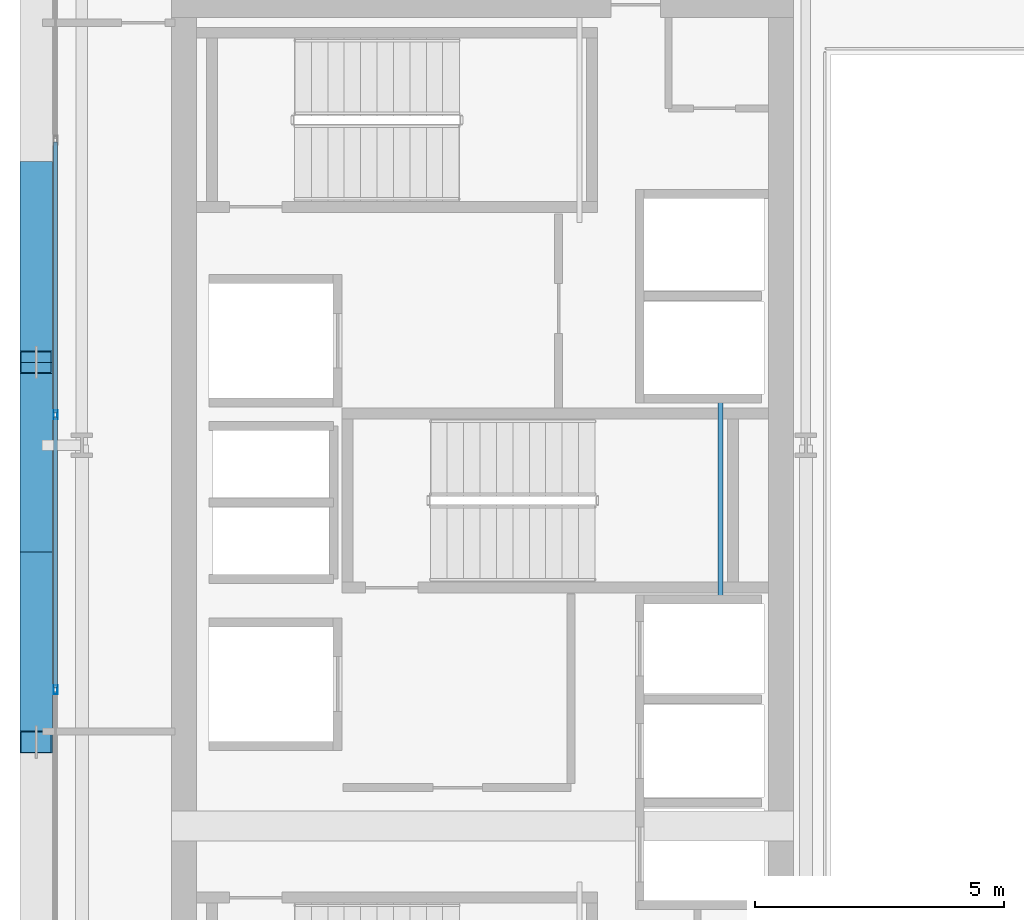
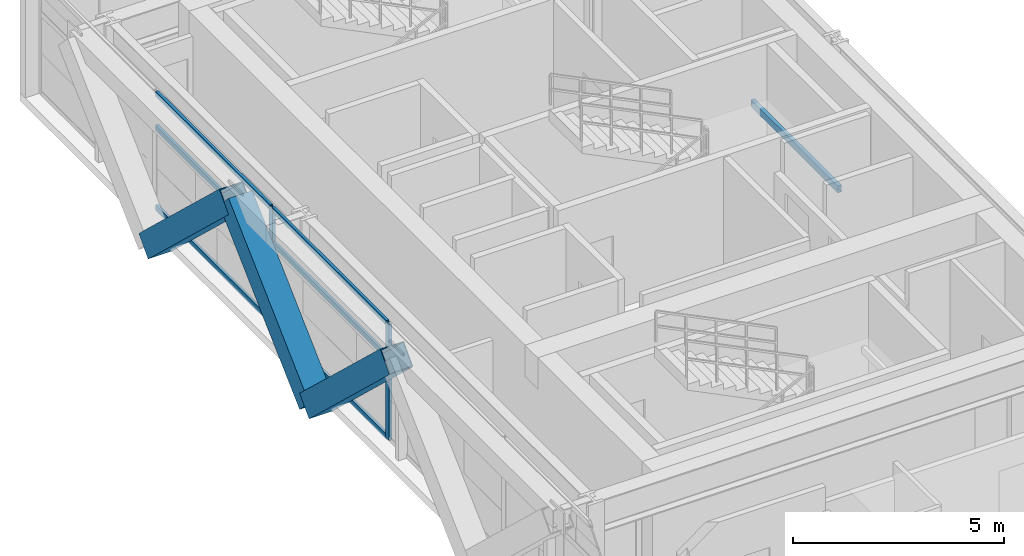
# One storey, part 7 of 32: 11 members, 1 beam, 1 element without a shape of its own.
"""IFC4 building model written with IfcOpenShell, lengths in metres."""

from ifc_helpers import new_model, si_unit, direction, frame, origin, origin_2d, place, context, subcontext, project, spatial, hollow_rectangle, extrude, source, transform, mapped, material, layer, layer_set, material_profile, profile_set, type_object, element, aggregate, save


model = new_model("IFC4")

# Units and contexts
model_context = context("Model", 3, precision=1e-05, world=origin(), true_north=direction((0.0, 1.0)))
body_context = subcontext(model_context, "Body", "Model", "MODEL_VIEW")
ifc_project = project(units=[si_unit("LENGTHUNIT", "METRE"), si_unit("AREAUNIT", "SQUARE_METRE"), si_unit("VOLUMEUNIT", "CUBIC_METRE"), si_unit("PLANEANGLEUNIT", "RADIAN"), si_unit("MASSUNIT", "GRAM", prefix="KILO")], contexts=[model_context])

# Site, building, storey
site_placement = place(None, origin())
site = spatial("IfcSite", under=ifc_project, at=site_placement, CompositionType="ELEMENT")
building_placement = place(site_placement, origin())
building = spatial("IfcBuilding", under=site, at=building_placement, Name="Ocotamira Hotel", CompositionType="ELEMENT")
storey_placement = place(building_placement, frame((0.0, 0.0, 213.60009765625)))
storey = spatial("IfcBuildingStorey", under=building, at=storey_placement, Name="L54", CompositionType="ELEMENT", Elevation=213.60009765625)

# Beam
ifc_material_1 = material(Name="Steel ASTM A500 Grade C", Category="steel")
ifc_material_profile_1 = material_profile(ifc_material_1, hollow_rectangle(XDim=0.10009765625, YDim=0.199951171875, WallThickness=0.008056640625, at=origin_2d()), Name="HSS200X100X8")
ifc_profile_set_1 = profile_set([ifc_material_profile_1], Name="Steel ASTM A500 Grade C")
beam_type = type_object("IfcBeamType", Name="BM-STLDG-HSS200", PredefinedType="BEAM", material=ifc_profile_set_1)
shared_shape_1 = source(origin(), body_context, "Body", "SweptSolid", [
    extrude(hollow_rectangle(XDim=0.10009765625, YDim=0.199951171875, WallThickness=0.008056640625, at=origin_2d()), origin(), (0.0, 0.0, 1.0), 4.1201171875),
])
beam_placement = place(storey_placement, frame((21.780029296875, 24.97998046875, 1.5), z_axis=(0.0, 1.0, 0.0), x_axis=(-1.0, 0.0, 0.0)))
element("IfcBeam", 1, at=beam_placement, inside=storey, type_object=beam_type, Name="L54 Stair ST-3 Landing Bearer 1", PredefinedType="BEAM", context=body_context, shape_type="MappedRepresentation", body=[
    mapped(shared_shape_1, transform((0.0, 0.0, 0.0), scale=1.0)),
])

# Members
ifc_material_2 = material(Name="Pale-metal coated steel ASTM A913 Grade 65", Category="steel")
ifc_material_profile_2 = material_profile(ifc_material_2, hollow_rectangle(XDim=0.64990234375, YDim=0.64990234375, WallThickness=0.02197265625, at=origin_2d()), Name="BOX650X650X22")
ifc_profile_set_2 = profile_set([ifc_material_profile_2], Name="Pale-metal coated steel ASTM A913 Grade 65")
member_type_1 = type_object("IfcMemberType", Name="MEM-EXO-BOX650", PredefinedType="BRACE", material=ifc_profile_set_2)
shared_shape_2 = source(origin(), body_context, "Body", "SweptSolid", [
    extrude(hollow_rectangle(XDim=0.64990234375, YDim=0.64990234375, WallThickness=0.02197265625, at=origin_2d()), origin(), (0.0, 0.0, 1.0), 5.24658203125),
])
for number, where, z_axis, x_axis, name in (
    (2, (8.030029296875, 26.0, -0.47998046875), (0.0, -0.72746596067, 0.686143772154), (1.0, 0.0, 0.0), "L54 Exoskeleton Diagrid W1.1"),
    (3, (8.030029296875, 26.0, -0.47998046875), (0.0, 0.72746596067, 0.686143772154), (-1.0, 0.0, 0.0), "L54 Exoskeleton Diagrid W1.2"),
    (4, (8.030029296875, 33.63330078125, -0.47998046875), (0.0, -0.72746596067, 0.686143772154), (1.0, 0.0, 0.0), "L54 Exoskeleton Diagrid W2.1"),
):
    element("IfcMember", number, at=place(storey_placement, frame(where, z_axis=z_axis, x_axis=x_axis)), inside=storey, type_object=member_type_1, Name=name, PredefinedType="BRACE", context=body_context, shape_type="MappedRepresentation", body=[
        mapped(shared_shape_2, transform((0.0, 0.0, 0.0), scale=1.0)),
    ])

# Curtain wall, members
ifc_material_3 = material(Name="Anodised pale-metal aluminium and solar glass", Category="aluminium")
ifc_layer = layer(ifc_material_3, 0.199951171875)
ifc_layer_set = layer_set([ifc_layer], Name="Anodised pale-metal aluminium and solar glass")
curtain_wall_type = type_object("IfcCurtainWallType", Name="CW-SYS4-Z3", PredefinedType="NOTDEFINED", material=ifc_layer_set)
curtain_wall_placement = place(storey_placement, origin())
curtain_wall = element("IfcCurtainWall", 5, at=curtain_wall_placement, inside=storey, type_object=curtain_wall_type, Name="L54 Curtain Wall CW-4 CW-L54-W", PredefinedType="NOTDEFINED")
ifc_material_4 = material(Name="Anodised pale-metal aluminium 6063-T6", Category="aluminium")
ifc_material_profile_3 = material_profile(ifc_material_4, hollow_rectangle(XDim=0.074951171875, YDim=0.14990234375, WallThickness=0.006103515625, at=origin_2d()), Name="HSS150X75X6")
ifc_profile_set_3 = profile_set([ifc_material_profile_3], Name="Anodised pale-metal aluminium 6063-T6")
member_type_2 = type_object("IfcMemberType", Name="CWT-150X75", PredefinedType="USERDEFINED", material=ifc_profile_set_3)
shared_shape_3 = source(origin(), body_context, "Body", "SweptSolid", [
    extrude(hollow_rectangle(XDim=0.074951171875, YDim=0.14990234375, WallThickness=0.006103515625, at=origin_2d()), origin(), (0.0, 0.0, 1.0), 5.43994140625),
])
member_1_placement = place(storey_placement, frame((8.419921875, 23.280029296875, 0.037353515625), z_axis=(0.0, 1.0, 0.0), x_axis=(-1.0, 0.0, 0.0)))
member_1 = element("IfcMember", 6, at=member_1_placement, type_object=member_type_2, Name="CW-4 transom 3.1", ObjectType="TRANSOM", PredefinedType="USERDEFINED", context=body_context, shape_type="MappedRepresentation", body=[
    mapped(shared_shape_3, transform((0.0, 0.0, 0.0), scale=1.0)),
])
member_2_placement = place(storey_placement, frame((8.419921875, 23.280029296875, 2.349853515625), z_axis=(0.0, 1.0, 0.0), x_axis=(-1.0, 0.0, 0.0)))
member_2 = element("IfcMember", 7, at=member_2_placement, type_object=member_type_2, Name="CW-4 transom 3.2", ObjectType="TRANSOM", PredefinedType="USERDEFINED", context=body_context, shape_type="MappedRepresentation", body=[
    mapped(shared_shape_3, transform((0.0, 0.0, 0.0), scale=1.0)),
])
member_3_placement = place(storey_placement, frame((8.419921875, 23.280029296875, 3.33251953125), z_axis=(0.0, 1.0, 0.0), x_axis=(-1.0, 0.0, 0.0)))
member_3 = element("IfcMember", 8, at=member_3_placement, type_object=member_type_2, Name="CW-4 transom 3.3", ObjectType="TRANSOM", PredefinedType="USERDEFINED", context=body_context, shape_type="MappedRepresentation", body=[
    mapped(shared_shape_3, transform((0.0, 0.0, 0.0), scale=1.0)),
])
member_4_placement = place(storey_placement, frame((8.419921875, 28.800048828125, 0.037353515625), z_axis=(0.0, 1.0, 0.0), x_axis=(-1.0, 0.0, 0.0)))
member_4 = element("IfcMember", 9, at=member_4_placement, type_object=member_type_2, Name="CW-4 transom 4.1", ObjectType="TRANSOM", PredefinedType="USERDEFINED", context=body_context, shape_type="MappedRepresentation", body=[
    mapped(shared_shape_3, transform((0.0, 0.0, 0.0), scale=1.0)),
])
member_5_placement = place(storey_placement, frame((8.419921875, 28.800048828125, 2.349853515625), z_axis=(0.0, 1.0, 0.0), x_axis=(-1.0, 0.0, 0.0)))
member_5 = element("IfcMember", 10, at=member_5_placement, type_object=member_type_2, Name="CW-4 transom 4.2", ObjectType="TRANSOM", PredefinedType="USERDEFINED", context=body_context, shape_type="MappedRepresentation", body=[
    mapped(shared_shape_3, transform((0.0, 0.0, 0.0), scale=1.0)),
])
member_6_placement = place(storey_placement, frame((8.419921875, 28.800048828125, 3.33251953125), z_axis=(0.0, 1.0, 0.0), x_axis=(-1.0, 0.0, 0.0)))
member_6 = element("IfcMember", 11, at=member_6_placement, type_object=member_type_2, Name="CW-4 transom 4.3", ObjectType="TRANSOM", PredefinedType="USERDEFINED", context=body_context, shape_type="MappedRepresentation", body=[
    mapped(shared_shape_3, transform((0.0, 0.0, 0.0), scale=1.0)),
])
ifc_material_profile_4 = material_profile(ifc_material_4, hollow_rectangle(XDim=0.080078125, YDim=0.179931640625, WallThickness=0.006103515625, at=origin_2d()), Name="HSS180X80X6")
ifc_profile_set_4 = profile_set([ifc_material_profile_4], Name="Anodised pale-metal aluminium 6063-T6")
member_type_3 = type_object("IfcMemberType", Name="CWM-180X75", PredefinedType="MULLION", material=ifc_profile_set_4)
shared_shape_4 = source(origin(), body_context, "Body", "SweptSolid", [
    extrude(hollow_rectangle(XDim=0.080078125, YDim=0.179931640625, WallThickness=0.006103515625, at=origin_2d()), origin(), (0.0, 0.0, 1.0), 3.369873046875),
])
member_7_placement = place(storey_placement, frame((8.419921875, 23.239990234375, 0.0), z_axis=(0.0, 0.0, 1.0), x_axis=(-1.0, 0.0, 0.0)))
member_7 = element("IfcMember", 12, at=member_7_placement, type_object=member_type_3, Name="CW-4 mullion 3", PredefinedType="MULLION", context=body_context, shape_type="MappedRepresentation", body=[
    mapped(shared_shape_4, transform((0.0, 0.0, 0.0), scale=1.0)),
])
member_8_placement = place(storey_placement, frame((8.419921875, 28.760009765625, 0.0), z_axis=(0.0, 0.0, 1.0), x_axis=(-1.0, 0.0, 0.0)))
member_8 = element("IfcMember", 13, at=member_8_placement, type_object=member_type_3, Name="CW-4 mullion 4", PredefinedType="MULLION", context=body_context, shape_type="MappedRepresentation", body=[
    mapped(shared_shape_4, transform((0.0, 0.0, 0.0), scale=1.0)),
])
aggregate(curtain_wall, [member_7, member_8, member_1, member_2, member_3, member_4, member_5, member_6])

save(model, "model.ifc")
